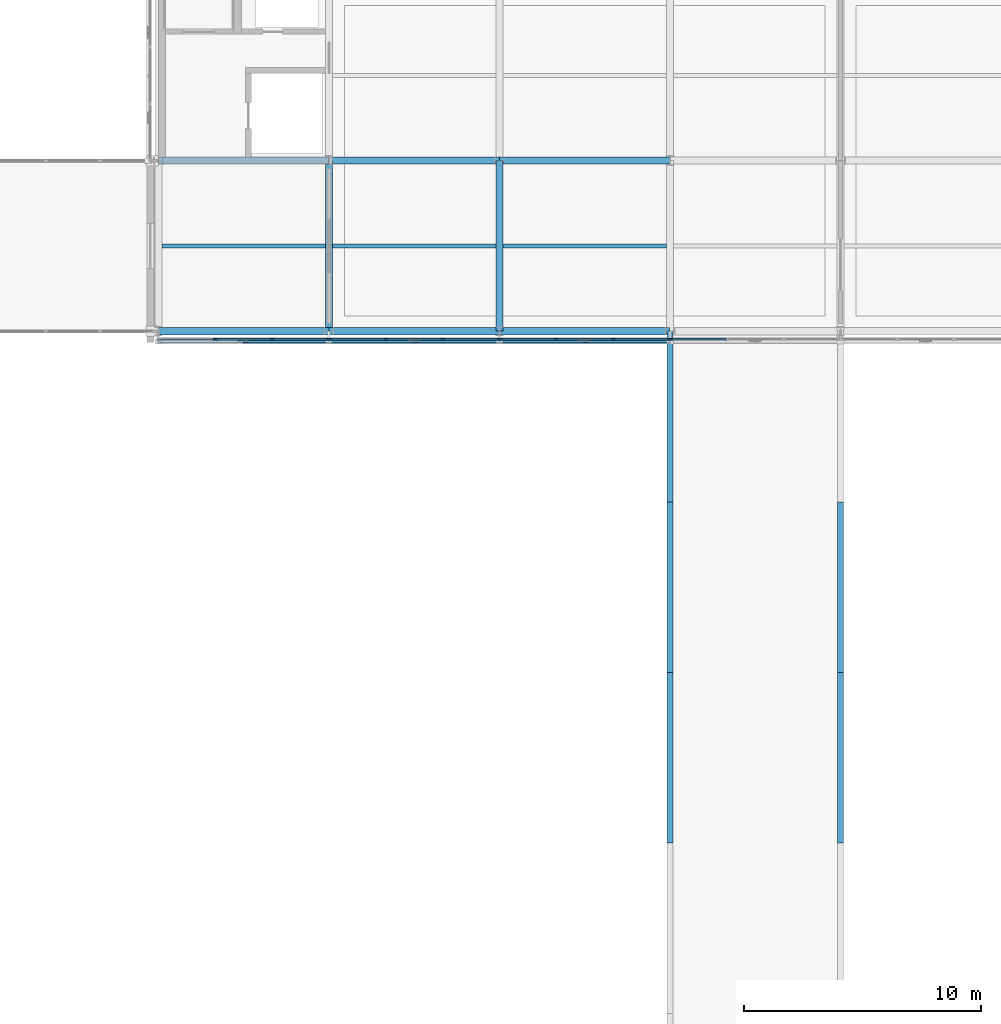
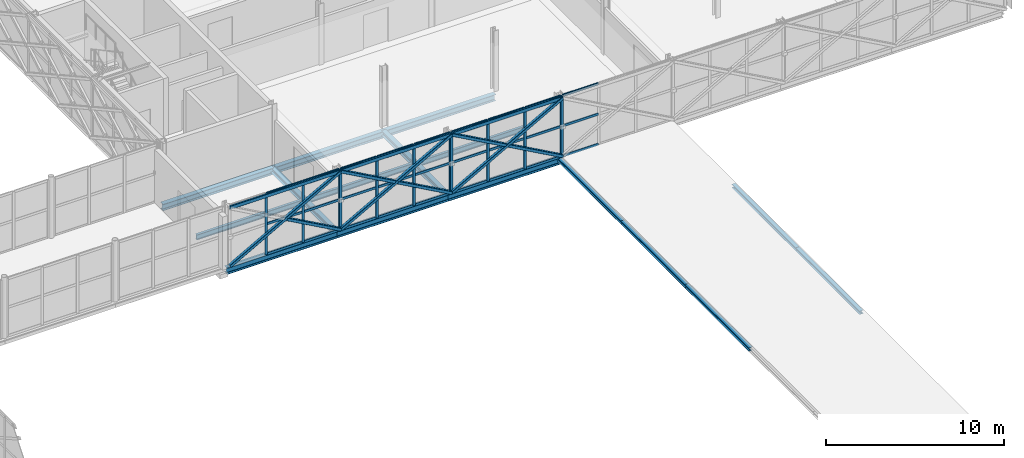
# One storey, part 50 of 126: 50 members, 16 beams, 4 elements without a shape of their own.
"""IFC4 building model written with IfcOpenShell, lengths in metres."""

from ifc_helpers import new_model, si_unit, direction, frame, origin, origin_2d, place, context, subcontext, project, spatial, rectangle, hollow_rectangle, i_section, extrude, material, material_profile, profile_set, type_object, element, aggregate, save


model = new_model("IFC4")

# Units and contexts
model_context = context("Model", 3, precision=1e-05, world=origin(), true_north=direction((0.0, 1.0)))
body_context = subcontext(model_context, "Body", "Model", "MODEL_VIEW")
ifc_project = project(units=[si_unit("LENGTHUNIT", "METRE"), si_unit("AREAUNIT", "SQUARE_METRE"), si_unit("VOLUMEUNIT", "CUBIC_METRE"), si_unit("PLANEANGLEUNIT", "RADIAN"), si_unit("MASSUNIT", "GRAM", prefix="KILO")], contexts=[model_context])

# Site, building, storey
site_placement = place(None, origin())
site = spatial("IfcSite", under=ifc_project, at=site_placement, CompositionType="ELEMENT")
building_placement = place(site_placement, origin())
building = spatial("IfcBuilding", under=site, at=building_placement, Name="Zlatovets Crest Museum", CompositionType="ELEMENT")
storey_placement = place(building_placement, frame((0.0, 0.0, 8.699951171875)))
storey = spatial("IfcBuildingStorey", under=building, at=storey_placement, Name="L02", CompositionType="ELEMENT", Elevation=8.699951171875)

# Beams
ifc_material_1 = material(Name="Structural steel S355J2", Category="steel")
ifc_material_profile_1 = material_profile(ifc_material_1, i_section(OverallWidth=0.300048828125, OverallDepth=0.35009765625, WebThickness=0.010009765625, FlangeThickness=0.017578125, FilletRadius=0.027099609375, at=origin_2d()), Name="HEA 360")
ifc_profile_set_1 = profile_set([ifc_material_profile_1], Name="Structural steel S355J2")
beam_type_1 = type_object("IfcBeamType", Name="Beam_B-03", PredefinedType="BEAM", material=ifc_profile_set_1)
for number, where, z_axis, x_axis, name in (
    (1, (64.800048828125, 86.39990234375, -0.39501953125), (0.0, 1.0, 0.0), (-1.0, 0.0, 0.0), "V1 L02 Grid Beam B-03"),
    (2, (72.0, 86.39990234375, -0.39501953125), (0.0, 1.0, 0.0), (-1.0, 0.0, 0.0), "V1 L02 Grid Beam B-03"),
):
    element("IfcBeam", number, at=place(storey_placement, frame(where, z_axis=z_axis, x_axis=x_axis)), inside=storey, type_object=beam_type_1, Name=name, PredefinedType="BEAM", context=body_context, shape_type="SweptSolid", body=[
        extrude(i_section(OverallWidth=0.300048828125, OverallDepth=0.35009765625, WebThickness=0.010009765625, FlangeThickness=0.017578125, FilletRadius=0.027099609375, at=origin_2d()), origin(), (0.0, 0.0, 1.0), 7.2001953125),
    ])
ifc_material_profile_2 = material_profile(ifc_material_1, i_section(OverallWidth=0.239990234375, OverallDepth=0.22998046875, WebThickness=0.007568359375, FlangeThickness=0.011962890625, FilletRadius=0.02099609375, at=origin_2d()), Name="HEA 240")
ifc_profile_set_2 = profile_set([ifc_material_profile_2], Name="Structural steel S355J2")
beam_type_2 = type_object("IfcBeamType", Name="Beam_B-06", PredefinedType="BEAM", material=ifc_profile_set_2)
for number, where, z_axis, x_axis, name in (
    (3, (79.199951171875, 64.800048828125, -0.3349609375), (0.0, 1.0, 0.0), (-1.0, 0.0, 0.0), "Central Sculpture Court Cloister and Skywalk Roof Edge Beam"),
    (4, (79.199951171875, 72.0, -0.3349609375), (0.0, 1.0, 0.0), (-1.0, 0.0, 0.0), "Central Sculpture Court Cloister and Skywalk Roof Edge Beam"),
    (5, (79.199951171875, 79.199951171875, -0.3349609375), (0.0, 1.0, 0.0), (-1.0, 0.0, 0.0), "Central Sculpture Court Cloister and Skywalk Roof Edge Beam"),
    (6, (86.39990234375, 64.800048828125, -0.3349609375), (0.0, 1.0, 0.0), (-1.0, 0.0, 0.0), "Central Sculpture Court Cloister and Skywalk Roof Edge Beam"),
    (7, (86.39990234375, 72.0, -0.3349609375), (0.0, 1.0, 0.0), (-1.0, 0.0, 0.0), "Central Sculpture Court Cloister and Skywalk Roof Edge Beam"),
):
    element("IfcBeam", number, at=place(storey_placement, frame(where, z_axis=z_axis, x_axis=x_axis)), inside=storey, type_object=beam_type_2, Name=name, PredefinedType="BEAM", context=body_context, shape_type="SweptSolid", body=[
        extrude(i_section(OverallWidth=0.239990234375, OverallDepth=0.22998046875, WebThickness=0.007568359375, FlangeThickness=0.011962890625, FilletRadius=0.02099609375, at=origin_2d()), origin(), (0.0, 0.0, 1.0), 7.199951171875),
    ])
ifc_material_profile_3 = material_profile(ifc_material_1, i_section(OverallWidth=0.300048828125, OverallDepth=0.43994140625, WebThickness=0.011474609375, FlangeThickness=0.02099609375, FilletRadius=0.027099609375, at=origin_2d()), Name="HEA 450")
ifc_profile_set_3 = profile_set([ifc_material_profile_3], Name="Structural steel S355J2")
beam_type_3 = type_object("IfcBeamType", Name="Beam_B-10", PredefinedType="BEAM", material=ifc_profile_set_3)
for number, where, z_axis, x_axis, name in (
    (8, (57.60009765625, 86.39990234375, -0.43994140625), (1.0, 0.0, 0.0), (0.0, 1.0, 0.0), "V1 L02 Primary Girder B-10"),
    (9, (64.800048828125, 86.39990234375, -0.43994140625), (1.0, 0.0, 0.0), (0.0, 1.0, 0.0), "V1 L02 Primary Girder B-10"),
    (10, (72.0, 86.39990234375, -0.43994140625), (1.0, 0.0, 0.0), (0.0, 1.0, 0.0), "V1 L02 Primary Girder B-10"),
    (11, (57.60009765625, 93.60009765625, -0.43994140625), (1.0, 0.0, 0.0), (0.0, 1.0, 0.0), "V1 L02 Primary Girder B-10"),
    (12, (64.800048828125, 93.60009765625, -0.43994140625), (1.0, 0.0, 0.0), (0.0, 1.0, 0.0), "V1 L02 Primary Girder B-10"),
    (13, (72.0, 93.60009765625, -0.43994140625), (1.0, 0.0, 0.0), (0.0, 1.0, 0.0), "V1 L02 Primary Girder B-10"),
):
    element("IfcBeam", number, at=place(storey_placement, frame(where, z_axis=z_axis, x_axis=x_axis)), inside=storey, type_object=beam_type_3, Name=name, PredefinedType="BEAM", context=body_context, shape_type="SweptSolid", body=[
        extrude(i_section(OverallWidth=0.300048828125, OverallDepth=0.43994140625, WebThickness=0.011474609375, FlangeThickness=0.02099609375, FilletRadius=0.027099609375, at=origin_2d()), origin(), (0.0, 0.0, 1.0), 7.199951171875),
    ])
ifc_material_profile_4 = material_profile(ifc_material_1, i_section(OverallWidth=0.169921875, OverallDepth=0.360107421875, WebThickness=0.008056640625, FlangeThickness=0.0126953125, FilletRadius=0.01806640625, at=origin_2d()), Name="IPE 360")
ifc_profile_set_4 = profile_set([ifc_material_profile_4], Name="Structural steel S355J2")
beam_type_4 = type_object("IfcBeamType", Name="Beam_J-01", PredefinedType="JOIST", material=ifc_profile_set_4)
beam_placement = place(storey_placement, frame((57.75, 90.0, -0.39990234375), z_axis=(1.0, 0.0, 0.0), x_axis=(0.0, 1.0, 0.0)))
element("IfcBeam", 14, at=beam_placement, inside=storey, type_object=beam_type_4, Name="V1 L02 Composite Joist J-01", PredefinedType="JOIST", context=body_context, shape_type="SweptSolid", body=[
    extrude(i_section(OverallWidth=0.169921875, OverallDepth=0.360107421875, WebThickness=0.008056640625, FlangeThickness=0.0126953125, FilletRadius=0.01806640625, at=origin_2d()), origin(), (0.0, 0.0, 1.0), 6.89990234375),
])
for number, where, z_axis, x_axis, name in (
    (15, (64.949951171875, 90.0, -0.39990234375), (1.0, 0.0, 0.0), (0.0, 1.0, 0.0), "V1 L02 Composite Joist J-01"),
    (16, (72.14990234375, 90.0, -0.39990234375), (1.0, 0.0, 0.0), (0.0, 1.0, 0.0), "V1 L02 Composite Joist J-01"),
):
    element("IfcBeam", number, at=place(storey_placement, frame(where, z_axis=z_axis, x_axis=x_axis)), inside=storey, type_object=beam_type_4, Name=name, PredefinedType="JOIST", context=body_context, shape_type="SweptSolid", body=[
        extrude(i_section(OverallWidth=0.169921875, OverallDepth=0.360107421875, WebThickness=0.008056640625, FlangeThickness=0.0126953125, FilletRadius=0.01806640625, at=origin_2d()), origin(), (0.0, 0.0, 1.0), 6.900146484375),
    ])

# Curtain wall, members
ifc_material_2 = material(Name="Bronze-anodised aluminium and low-E triple glass", Category="aluminium")
curtain_wall_type_1 = type_object("IfcCurtainWallType", Name="CW_CW-V1-L02-M0", PredefinedType="NOTDEFINED", material=ifc_material_2)
curtain_wall_1_placement = place(storey_placement, origin())
curtain_wall_1 = element("IfcCurtainWall", 17, at=curtain_wall_1_placement, inside=storey, type_object=curtain_wall_type_1, Name="V1 L02 Secession Foyer Clear Curtain Wall", PredefinedType="NOTDEFINED")
ifc_material_3 = material(Name="Bronze-anodised aluminium EN AW-6060", Category="aluminium")
ifc_material_profile_5 = material_profile(ifc_material_3, rectangle(XDim=0.080078125, YDim=0.159912109375, at=origin_2d()), Name="ALU 80x160")
ifc_profile_set_5 = profile_set([ifc_material_profile_5], Name="Bronze-anodised aluminium EN AW-6060")
member_type_1 = type_object("IfcMemberType", Name="CWMull_M1", PredefinedType="MULLION", material=ifc_profile_set_5)
member_1_placement = place(storey_placement, frame((60.0, 86.06005859375, 0.0), z_axis=(0.0, 0.0, 1.0), x_axis=(0.0, 1.0, 0.0)))
member_1 = element("IfcMember", 18, at=member_1_placement, type_object=member_type_1, Name="CW-V1-L02-M0 mullion 2", PredefinedType="MULLION", context=body_context, shape_type="SweptSolid", body=[
    extrude(rectangle(XDim=0.080078125, YDim=0.159912109375, at=origin_2d()), origin(), (0.0, 0.0, 1.0), 4.199951171875),
])
member_2_placement = place(storey_placement, frame((62.39990234375, 86.06005859375, 0.0), z_axis=(0.0, 0.0, 1.0), x_axis=(0.0, 1.0, 0.0)))
member_2 = element("IfcMember", 19, at=member_2_placement, type_object=member_type_1, Name="CW-V1-L02-M0 mullion 3", PredefinedType="MULLION", context=body_context, shape_type="SweptSolid", body=[
    extrude(rectangle(XDim=0.080078125, YDim=0.159912109375, at=origin_2d()), origin(), (0.0, 0.0, 1.0), 4.199951171875),
])
member_3_placement = place(storey_placement, frame((64.77001953125, 86.06005859375, 0.0), z_axis=(0.0, 0.0, 1.0), x_axis=(0.0, 1.0, 0.0)))
member_3 = element("IfcMember", 20, at=member_3_placement, type_object=member_type_1, Name="CW-V1-L02-M0 mullion 4", PredefinedType="MULLION", context=body_context, shape_type="SweptSolid", body=[
    extrude(rectangle(XDim=0.080078125, YDim=0.159912109375, at=origin_2d()), origin(), (0.0, 0.0, 1.0), 4.199951171875),
])

curtain_wall_type_2 = type_object("IfcCurtainWallType", Name="CW_CW-V1-L02-M1", PredefinedType="NOTDEFINED", material=ifc_material_2)
curtain_wall_2_placement = place(storey_placement, origin())
curtain_wall_2 = element("IfcCurtainWall", 21, at=curtain_wall_2_placement, inside=storey, type_object=curtain_wall_type_2, Name="V1 L02 Secession Foyer Clear Curtain Wall", PredefinedType="NOTDEFINED")
member_4_placement = place(storey_placement, frame((64.830078125, 86.06005859375, 0.0), z_axis=(0.0, 0.0, 1.0), x_axis=(0.0, 1.0, 0.0)))
member_4 = element("IfcMember", 22, at=member_4_placement, type_object=member_type_1, Name="CW-V1-L02-M1 mullion 1", PredefinedType="MULLION", context=body_context, shape_type="SweptSolid", body=[
    extrude(rectangle(XDim=0.080078125, YDim=0.159912109375, at=origin_2d()), origin(), (0.0, 0.0, 1.0), 4.199951171875),
])
member_5_placement = place(storey_placement, frame((67.199951171875, 86.06005859375, 0.0), z_axis=(0.0, 0.0, 1.0), x_axis=(0.0, 1.0, 0.0)))
member_5 = element("IfcMember", 23, at=member_5_placement, type_object=member_type_1, Name="CW-V1-L02-M1 mullion 2", PredefinedType="MULLION", context=body_context, shape_type="SweptSolid", body=[
    extrude(rectangle(XDim=0.080078125, YDim=0.159912109375, at=origin_2d()), origin(), (0.0, 0.0, 1.0), 4.199951171875),
])
member_6_placement = place(storey_placement, frame((69.60009765625, 86.06005859375, 0.0), z_axis=(0.0, 0.0, 1.0), x_axis=(0.0, 1.0, 0.0)))
member_6 = element("IfcMember", 24, at=member_6_placement, type_object=member_type_1, Name="CW-V1-L02-M1 mullion 3", PredefinedType="MULLION", context=body_context, shape_type="SweptSolid", body=[
    extrude(rectangle(XDim=0.080078125, YDim=0.159912109375, at=origin_2d()), origin(), (0.0, 0.0, 1.0), 4.199951171875),
])
member_7_placement = place(storey_placement, frame((71.969970703125, 86.06005859375, 0.0), z_axis=(0.0, 0.0, 1.0), x_axis=(0.0, 1.0, 0.0)))
member_7 = element("IfcMember", 25, at=member_7_placement, type_object=member_type_1, Name="CW-V1-L02-M1 mullion 4", PredefinedType="MULLION", context=body_context, shape_type="SweptSolid", body=[
    extrude(rectangle(XDim=0.080078125, YDim=0.159912109375, at=origin_2d()), origin(), (0.0, 0.0, 1.0), 4.199951171875),
])

curtain_wall_type_3 = type_object("IfcCurtainWallType", Name="CW_CW-V1-L02-M2", PredefinedType="NOTDEFINED", material=ifc_material_2)
curtain_wall_3_placement = place(storey_placement, origin())
curtain_wall_3 = element("IfcCurtainWall", 26, at=curtain_wall_3_placement, inside=storey, type_object=curtain_wall_type_3, Name="V1 L02 Secession Foyer Clear Curtain Wall", PredefinedType="NOTDEFINED")
member_8_placement = place(storey_placement, frame((72.030029296875, 86.06005859375, 0.0), z_axis=(0.0, 0.0, 1.0), x_axis=(0.0, 1.0, 0.0)))
member_8 = element("IfcMember", 27, at=member_8_placement, type_object=member_type_1, Name="CW-V1-L02-M2 mullion 1", PredefinedType="MULLION", context=body_context, shape_type="SweptSolid", body=[
    extrude(rectangle(XDim=0.080078125, YDim=0.159912109375, at=origin_2d()), origin(), (0.0, 0.0, 1.0), 4.199951171875),
])
member_9_placement = place(storey_placement, frame((74.39990234375, 86.06005859375, 0.0), z_axis=(0.0, 0.0, 1.0), x_axis=(0.0, 1.0, 0.0)))
member_9 = element("IfcMember", 28, at=member_9_placement, type_object=member_type_1, Name="CW-V1-L02-M2 mullion 2", PredefinedType="MULLION", context=body_context, shape_type="SweptSolid", body=[
    extrude(rectangle(XDim=0.080078125, YDim=0.159912109375, at=origin_2d()), origin(), (0.0, 0.0, 1.0), 4.199951171875),
])
member_10_placement = place(storey_placement, frame((76.800048828125, 86.06005859375, 0.0), z_axis=(0.0, 0.0, 1.0), x_axis=(0.0, 1.0, 0.0)))
member_10 = element("IfcMember", 29, at=member_10_placement, type_object=member_type_1, Name="CW-V1-L02-M2 mullion 3", PredefinedType="MULLION", context=body_context, shape_type="SweptSolid", body=[
    extrude(rectangle(XDim=0.080078125, YDim=0.159912109375, at=origin_2d()), origin(), (0.0, 0.0, 1.0), 4.199951171875),
])
member_11_placement = place(storey_placement, frame((79.169921875, 86.06005859375, 0.0), z_axis=(0.0, 0.0, 1.0), x_axis=(0.0, 1.0, 0.0)))
member_11 = element("IfcMember", 30, at=member_11_placement, type_object=member_type_1, Name="CW-V1-L02-M2 mullion 4", PredefinedType="MULLION", context=body_context, shape_type="SweptSolid", body=[
    extrude(rectangle(XDim=0.080078125, YDim=0.159912109375, at=origin_2d()), origin(), (0.0, 0.0, 1.0), 4.199951171875),
])

# Curtain wall, member
curtain_wall_type_4 = type_object("IfcCurtainWallType", Name="CW_CW-V1-L02-M3", PredefinedType="NOTDEFINED", material=ifc_material_2)
curtain_wall_4_placement = place(storey_placement, origin())
curtain_wall_4 = element("IfcCurtainWall", 31, at=curtain_wall_4_placement, inside=storey, type_object=curtain_wall_type_4, Name="V1 L02 Secession Foyer Clear Curtain Wall", PredefinedType="NOTDEFINED")
member_12_placement = place(storey_placement, frame((79.22998046875, 86.06005859375, 0.0), z_axis=(0.0, 0.0, 1.0), x_axis=(0.0, 1.0, 0.0)))
member_12 = element("IfcMember", 32, at=member_12_placement, type_object=member_type_1, Name="CW-V1-L02-M3 mullion 1", PredefinedType="MULLION", context=body_context, shape_type="SweptSolid", body=[
    extrude(rectangle(XDim=0.080078125, YDim=0.159912109375, at=origin_2d()), origin(), (0.0, 0.0, 1.0), 4.199951171875),
])

# Member
ifc_material_profile_6 = material_profile(ifc_material_3, rectangle(XDim=0.080078125, YDim=0.159912109375, at=origin_2d()), Name="ALU 80x160")
ifc_profile_set_6 = profile_set([ifc_material_profile_6], Name="Bronze-anodised aluminium EN AW-6060")
member_type_2 = type_object("IfcMemberType", Name="CWTrans_T1", PredefinedType="USERDEFINED", material=ifc_profile_set_6)
member_13_placement = place(storey_placement, frame((60.030029296875, 86.06005859375, 0.030029296875), z_axis=(1.0, 0.0, 0.0), x_axis=(0.0, 1.0, 0.0)))
member_13 = element("IfcMember", 33, at=member_13_placement, type_object=member_type_2, Name="CW-V1-L02-M0 transom 2.1", ObjectType="TRANSOM", PredefinedType="USERDEFINED", context=body_context, shape_type="SweptSolid", body=[
    extrude(rectangle(XDim=0.080078125, YDim=0.159912109375, at=origin_2d()), origin(), (0.0, 0.0, 1.0), 2.340087890625),
])

member_14_placement = place(storey_placement, frame((60.030029296875, 86.06005859375, 2.10009765625), z_axis=(1.0, 0.0, 0.0), x_axis=(0.0, 1.0, 0.0)))
member_14 = element("IfcMember", 34, at=member_14_placement, type_object=member_type_2, Name="CW-V1-L02-M0 transom 2.2", ObjectType="TRANSOM", PredefinedType="USERDEFINED", context=body_context, shape_type="SweptSolid", body=[
    extrude(rectangle(XDim=0.080078125, YDim=0.159912109375, at=origin_2d()), origin(), (0.0, 0.0, 1.0), 2.340087890625),
])

member_15_placement = place(storey_placement, frame((60.030029296875, 86.06005859375, 4.170166015625), z_axis=(1.0, 0.0, 0.0), x_axis=(0.0, 1.0, 0.0)))
member_15 = element("IfcMember", 35, at=member_15_placement, type_object=member_type_2, Name="CW-V1-L02-M0 transom 2.3", ObjectType="TRANSOM", PredefinedType="USERDEFINED", context=body_context, shape_type="SweptSolid", body=[
    extrude(rectangle(XDim=0.080078125, YDim=0.159912109375, at=origin_2d()), origin(), (0.0, 0.0, 1.0), 2.340087890625),
])

member_16_placement = place(storey_placement, frame((62.429931640625, 86.06005859375, 0.030029296875), z_axis=(1.0, 0.0, 0.0), x_axis=(0.0, 1.0, 0.0)))
member_16 = element("IfcMember", 36, at=member_16_placement, type_object=member_type_2, Name="CW-V1-L02-M0 transom 3.1", ObjectType="TRANSOM", PredefinedType="USERDEFINED", context=body_context, shape_type="SweptSolid", body=[
    extrude(rectangle(XDim=0.080078125, YDim=0.159912109375, at=origin_2d()), origin(), (0.0, 0.0, 1.0), 2.31005859375),
])

member_17_placement = place(storey_placement, frame((62.429931640625, 86.06005859375, 2.10009765625), z_axis=(1.0, 0.0, 0.0), x_axis=(0.0, 1.0, 0.0)))
member_17 = element("IfcMember", 37, at=member_17_placement, type_object=member_type_2, Name="CW-V1-L02-M0 transom 3.2", ObjectType="TRANSOM", PredefinedType="USERDEFINED", context=body_context, shape_type="SweptSolid", body=[
    extrude(rectangle(XDim=0.080078125, YDim=0.159912109375, at=origin_2d()), origin(), (0.0, 0.0, 1.0), 2.31005859375),
])

member_18_placement = place(storey_placement, frame((62.429931640625, 86.06005859375, 4.170166015625), z_axis=(1.0, 0.0, 0.0), x_axis=(0.0, 1.0, 0.0)))
member_18 = element("IfcMember", 38, at=member_18_placement, type_object=member_type_2, Name="CW-V1-L02-M0 transom 3.3", ObjectType="TRANSOM", PredefinedType="USERDEFINED", context=body_context, shape_type="SweptSolid", body=[
    extrude(rectangle(XDim=0.080078125, YDim=0.159912109375, at=origin_2d()), origin(), (0.0, 0.0, 1.0), 2.31005859375),
])

aggregate(curtain_wall_1, [member_1, member_2, member_3, member_13, member_14, member_15, member_16, member_17, member_18])

member_19_placement = place(storey_placement, frame((64.860107421875, 86.06005859375, 0.030029296875), z_axis=(1.0, 0.0, 0.0), x_axis=(0.0, 1.0, 0.0)))
member_19 = element("IfcMember", 39, at=member_19_placement, type_object=member_type_2, Name="CW-V1-L02-M1 transom 1.1", ObjectType="TRANSOM", PredefinedType="USERDEFINED", context=body_context, shape_type="SweptSolid", body=[
    extrude(rectangle(XDim=0.080078125, YDim=0.159912109375, at=origin_2d()), origin(), (0.0, 0.0, 1.0), 2.309814453125),
])

member_20_placement = place(storey_placement, frame((64.860107421875, 86.06005859375, 2.10009765625), z_axis=(1.0, 0.0, 0.0), x_axis=(0.0, 1.0, 0.0)))
member_20 = element("IfcMember", 40, at=member_20_placement, type_object=member_type_2, Name="CW-V1-L02-M1 transom 1.2", ObjectType="TRANSOM", PredefinedType="USERDEFINED", context=body_context, shape_type="SweptSolid", body=[
    extrude(rectangle(XDim=0.080078125, YDim=0.159912109375, at=origin_2d()), origin(), (0.0, 0.0, 1.0), 2.309814453125),
])

member_21_placement = place(storey_placement, frame((64.860107421875, 86.06005859375, 4.170166015625), z_axis=(1.0, 0.0, 0.0), x_axis=(0.0, 1.0, 0.0)))
member_21 = element("IfcMember", 41, at=member_21_placement, type_object=member_type_2, Name="CW-V1-L02-M1 transom 1.3", ObjectType="TRANSOM", PredefinedType="USERDEFINED", context=body_context, shape_type="SweptSolid", body=[
    extrude(rectangle(XDim=0.080078125, YDim=0.159912109375, at=origin_2d()), origin(), (0.0, 0.0, 1.0), 2.309814453125),
])

member_22_placement = place(storey_placement, frame((67.22998046875, 86.06005859375, 0.030029296875), z_axis=(1.0, 0.0, 0.0), x_axis=(0.0, 1.0, 0.0)))
member_22 = element("IfcMember", 42, at=member_22_placement, type_object=member_type_2, Name="CW-V1-L02-M1 transom 2.1", ObjectType="TRANSOM", PredefinedType="USERDEFINED", context=body_context, shape_type="SweptSolid", body=[
    extrude(rectangle(XDim=0.080078125, YDim=0.159912109375, at=origin_2d()), origin(), (0.0, 0.0, 1.0), 2.340087890625),
])

member_23_placement = place(storey_placement, frame((67.22998046875, 86.06005859375, 2.10009765625), z_axis=(1.0, 0.0, 0.0), x_axis=(0.0, 1.0, 0.0)))
member_23 = element("IfcMember", 43, at=member_23_placement, type_object=member_type_2, Name="CW-V1-L02-M1 transom 2.2", ObjectType="TRANSOM", PredefinedType="USERDEFINED", context=body_context, shape_type="SweptSolid", body=[
    extrude(rectangle(XDim=0.080078125, YDim=0.159912109375, at=origin_2d()), origin(), (0.0, 0.0, 1.0), 2.340087890625),
])

member_24_placement = place(storey_placement, frame((67.22998046875, 86.06005859375, 4.170166015625), z_axis=(1.0, 0.0, 0.0), x_axis=(0.0, 1.0, 0.0)))
member_24 = element("IfcMember", 44, at=member_24_placement, type_object=member_type_2, Name="CW-V1-L02-M1 transom 2.3", ObjectType="TRANSOM", PredefinedType="USERDEFINED", context=body_context, shape_type="SweptSolid", body=[
    extrude(rectangle(XDim=0.080078125, YDim=0.159912109375, at=origin_2d()), origin(), (0.0, 0.0, 1.0), 2.340087890625),
])

member_25_placement = place(storey_placement, frame((69.6298828125, 86.06005859375, 0.030029296875), z_axis=(1.0, 0.0, 0.0), x_axis=(0.0, 1.0, 0.0)))
member_25 = element("IfcMember", 45, at=member_25_placement, type_object=member_type_2, Name="CW-V1-L02-M1 transom 3.1", ObjectType="TRANSOM", PredefinedType="USERDEFINED", context=body_context, shape_type="SweptSolid", body=[
    extrude(rectangle(XDim=0.080078125, YDim=0.159912109375, at=origin_2d()), origin(), (0.0, 0.0, 1.0), 2.31005859375),
])

member_26_placement = place(storey_placement, frame((69.6298828125, 86.06005859375, 2.10009765625), z_axis=(1.0, 0.0, 0.0), x_axis=(0.0, 1.0, 0.0)))
member_26 = element("IfcMember", 46, at=member_26_placement, type_object=member_type_2, Name="CW-V1-L02-M1 transom 3.2", ObjectType="TRANSOM", PredefinedType="USERDEFINED", context=body_context, shape_type="SweptSolid", body=[
    extrude(rectangle(XDim=0.080078125, YDim=0.159912109375, at=origin_2d()), origin(), (0.0, 0.0, 1.0), 2.31005859375),
])

member_27_placement = place(storey_placement, frame((69.6298828125, 86.06005859375, 4.170166015625), z_axis=(1.0, 0.0, 0.0), x_axis=(0.0, 1.0, 0.0)))
member_27 = element("IfcMember", 47, at=member_27_placement, type_object=member_type_2, Name="CW-V1-L02-M1 transom 3.3", ObjectType="TRANSOM", PredefinedType="USERDEFINED", context=body_context, shape_type="SweptSolid", body=[
    extrude(rectangle(XDim=0.080078125, YDim=0.159912109375, at=origin_2d()), origin(), (0.0, 0.0, 1.0), 2.31005859375),
])

aggregate(curtain_wall_2, [member_4, member_5, member_6, member_7, member_19, member_20, member_21, member_22, member_23, member_24, member_25, member_26, member_27])

member_28_placement = place(storey_placement, frame((72.06005859375, 86.06005859375, 0.030029296875), z_axis=(1.0, 0.0, 0.0), x_axis=(0.0, 1.0, 0.0)))
member_28 = element("IfcMember", 48, at=member_28_placement, type_object=member_type_2, Name="CW-V1-L02-M2 transom 1.1", ObjectType="TRANSOM", PredefinedType="USERDEFINED", context=body_context, shape_type="SweptSolid", body=[
    extrude(rectangle(XDim=0.080078125, YDim=0.159912109375, at=origin_2d()), origin(), (0.0, 0.0, 1.0), 2.31005859375),
])

member_29_placement = place(storey_placement, frame((72.06005859375, 86.06005859375, 2.10009765625), z_axis=(1.0, 0.0, 0.0), x_axis=(0.0, 1.0, 0.0)))
member_29 = element("IfcMember", 49, at=member_29_placement, type_object=member_type_2, Name="CW-V1-L02-M2 transom 1.2", ObjectType="TRANSOM", PredefinedType="USERDEFINED", context=body_context, shape_type="SweptSolid", body=[
    extrude(rectangle(XDim=0.080078125, YDim=0.159912109375, at=origin_2d()), origin(), (0.0, 0.0, 1.0), 2.31005859375),
])

member_30_placement = place(storey_placement, frame((72.06005859375, 86.06005859375, 4.170166015625), z_axis=(1.0, 0.0, 0.0), x_axis=(0.0, 1.0, 0.0)))
member_30 = element("IfcMember", 50, at=member_30_placement, type_object=member_type_2, Name="CW-V1-L02-M2 transom 1.3", ObjectType="TRANSOM", PredefinedType="USERDEFINED", context=body_context, shape_type="SweptSolid", body=[
    extrude(rectangle(XDim=0.080078125, YDim=0.159912109375, at=origin_2d()), origin(), (0.0, 0.0, 1.0), 2.31005859375),
])

member_31_placement = place(storey_placement, frame((74.429931640625, 86.06005859375, 0.030029296875), z_axis=(1.0, 0.0, 0.0), x_axis=(0.0, 1.0, 0.0)))
member_31 = element("IfcMember", 51, at=member_31_placement, type_object=member_type_2, Name="CW-V1-L02-M2 transom 2.1", ObjectType="TRANSOM", PredefinedType="USERDEFINED", context=body_context, shape_type="SweptSolid", body=[
    extrude(rectangle(XDim=0.080078125, YDim=0.159912109375, at=origin_2d()), origin(), (0.0, 0.0, 1.0), 2.340087890625),
])

member_32_placement = place(storey_placement, frame((74.429931640625, 86.06005859375, 2.10009765625), z_axis=(1.0, 0.0, 0.0), x_axis=(0.0, 1.0, 0.0)))
member_32 = element("IfcMember", 52, at=member_32_placement, type_object=member_type_2, Name="CW-V1-L02-M2 transom 2.2", ObjectType="TRANSOM", PredefinedType="USERDEFINED", context=body_context, shape_type="SweptSolid", body=[
    extrude(rectangle(XDim=0.080078125, YDim=0.159912109375, at=origin_2d()), origin(), (0.0, 0.0, 1.0), 2.340087890625),
])

member_33_placement = place(storey_placement, frame((74.429931640625, 86.06005859375, 4.170166015625), z_axis=(1.0, 0.0, 0.0), x_axis=(0.0, 1.0, 0.0)))
member_33 = element("IfcMember", 53, at=member_33_placement, type_object=member_type_2, Name="CW-V1-L02-M2 transom 2.3", ObjectType="TRANSOM", PredefinedType="USERDEFINED", context=body_context, shape_type="SweptSolid", body=[
    extrude(rectangle(XDim=0.080078125, YDim=0.159912109375, at=origin_2d()), origin(), (0.0, 0.0, 1.0), 2.340087890625),
])

member_34_placement = place(storey_placement, frame((76.830078125, 86.06005859375, 0.030029296875), z_axis=(1.0, 0.0, 0.0), x_axis=(0.0, 1.0, 0.0)))
member_34 = element("IfcMember", 54, at=member_34_placement, type_object=member_type_2, Name="CW-V1-L02-M2 transom 3.1", ObjectType="TRANSOM", PredefinedType="USERDEFINED", context=body_context, shape_type="SweptSolid", body=[
    extrude(rectangle(XDim=0.080078125, YDim=0.159912109375, at=origin_2d()), origin(), (0.0, 0.0, 1.0), 2.309814453125),
])

member_35_placement = place(storey_placement, frame((76.830078125, 86.06005859375, 2.10009765625), z_axis=(1.0, 0.0, 0.0), x_axis=(0.0, 1.0, 0.0)))
member_35 = element("IfcMember", 55, at=member_35_placement, type_object=member_type_2, Name="CW-V1-L02-M2 transom 3.2", ObjectType="TRANSOM", PredefinedType="USERDEFINED", context=body_context, shape_type="SweptSolid", body=[
    extrude(rectangle(XDim=0.080078125, YDim=0.159912109375, at=origin_2d()), origin(), (0.0, 0.0, 1.0), 2.309814453125),
])

member_36_placement = place(storey_placement, frame((76.830078125, 86.06005859375, 4.170166015625), z_axis=(1.0, 0.0, 0.0), x_axis=(0.0, 1.0, 0.0)))
member_36 = element("IfcMember", 56, at=member_36_placement, type_object=member_type_2, Name="CW-V1-L02-M2 transom 3.3", ObjectType="TRANSOM", PredefinedType="USERDEFINED", context=body_context, shape_type="SweptSolid", body=[
    extrude(rectangle(XDim=0.080078125, YDim=0.159912109375, at=origin_2d()), origin(), (0.0, 0.0, 1.0), 2.309814453125),
])

aggregate(curtain_wall_3, [member_8, member_9, member_10, member_11, member_28, member_29, member_30, member_31, member_32, member_33, member_34, member_35, member_36])

member_37_placement = place(storey_placement, frame((79.260009765625, 86.06005859375, 0.030029296875), z_axis=(1.0, 0.0, 0.0), x_axis=(0.0, 1.0, 0.0)))
member_37 = element("IfcMember", 57, at=member_37_placement, type_object=member_type_2, Name="CW-V1-L02-M3 transom 1.1", ObjectType="TRANSOM", PredefinedType="USERDEFINED", context=body_context, shape_type="SweptSolid", body=[
    extrude(rectangle(XDim=0.080078125, YDim=0.159912109375, at=origin_2d()), origin(), (0.0, 0.0, 1.0), 2.31005859375),
])

member_38_placement = place(storey_placement, frame((79.260009765625, 86.06005859375, 2.10009765625), z_axis=(1.0, 0.0, 0.0), x_axis=(0.0, 1.0, 0.0)))
member_38 = element("IfcMember", 58, at=member_38_placement, type_object=member_type_2, Name="CW-V1-L02-M3 transom 1.2", ObjectType="TRANSOM", PredefinedType="USERDEFINED", context=body_context, shape_type="SweptSolid", body=[
    extrude(rectangle(XDim=0.080078125, YDim=0.159912109375, at=origin_2d()), origin(), (0.0, 0.0, 1.0), 2.31005859375),
])

member_39_placement = place(storey_placement, frame((79.260009765625, 86.06005859375, 4.170166015625), z_axis=(1.0, 0.0, 0.0), x_axis=(0.0, 1.0, 0.0)))
member_39 = element("IfcMember", 59, at=member_39_placement, type_object=member_type_2, Name="CW-V1-L02-M3 transom 1.3", ObjectType="TRANSOM", PredefinedType="USERDEFINED", context=body_context, shape_type="SweptSolid", body=[
    extrude(rectangle(XDim=0.080078125, YDim=0.159912109375, at=origin_2d()), origin(), (0.0, 0.0, 1.0), 2.31005859375),
])

aggregate(curtain_wall_4, [member_12, member_37, member_38, member_39])

# Members
ifc_material_4 = material(Name="Weathering bronze-steel S355J2W", Category="steel")
ifc_material_profile_7 = material_profile(ifc_material_4, hollow_rectangle(XDim=0.199951171875, YDim=0.199951171875, WallThickness=0.012451171875, InnerFilletRadius=0.012451171875, OuterFilletRadius=0.02490234375, at=origin_2d()), Name="SHS 200x200x12.5")
ifc_profile_set_7 = profile_set([ifc_material_profile_7], Name="Weathering bronze-steel S355J2W")
member_type_3 = type_object("IfcMemberType", Name="Lattice_XL-02", PredefinedType="BRACE", material=ifc_profile_set_7)
member_40_placement = place(storey_placement, frame((57.60009765625, 85.97998046875, 0.10009765625), z_axis=(0.874155877937, 0.0, 0.485645447903), x_axis=(0.0, 1.0, 0.0)))
element("IfcMember", 60, at=member_40_placement, inside=storey, type_object=member_type_3, Name="Continuous Bronze Lattice Diagonal", PredefinedType="BRACE", context=body_context, shape_type="SweptSolid", body=[
    extrude(hollow_rectangle(XDim=0.199951171875, YDim=0.199951171875, WallThickness=0.012451171875, InnerFilletRadius=0.012451171875, OuterFilletRadius=0.02490234375, at=origin_2d()), origin(), (0.0, 0.0, 1.0), 8.236572265625),
])
member_41_placement = place(storey_placement, frame((61.282958984375, 85.97998046875, 2.053955078125), z_axis=(0.874165862873, 0.0, -0.485627474703), x_axis=(0.0, 1.0, 0.0)))
element("IfcMember", 61, at=member_41_placement, inside=storey, type_object=member_type_3, Name="Split Crossing Bronze Lattice Diagonal Lower", PredefinedType="BRACE", context=body_context, shape_type="SweptSolid", body=[
    extrude(hollow_rectangle(XDim=0.199951171875, YDim=0.199951171875, WallThickness=0.012451171875, InnerFilletRadius=0.012451171875, OuterFilletRadius=0.02490234375, at=origin_2d()), origin(), (0.0, 0.0, 1.0), 4.0234375),
])
member_42_placement = place(storey_placement, frame((64.800048828125, 85.97998046875, 0.10009765625), z_axis=(0.874155877937, 0.0, 0.485645447903), x_axis=(0.0, 1.0, 0.0)))
element("IfcMember", 62, at=member_42_placement, inside=storey, type_object=member_type_3, Name="Continuous Bronze Lattice Diagonal", PredefinedType="BRACE", context=body_context, shape_type="SweptSolid", body=[
    extrude(hollow_rectangle(XDim=0.199951171875, YDim=0.199951171875, WallThickness=0.012451171875, InnerFilletRadius=0.012451171875, OuterFilletRadius=0.02490234375, at=origin_2d()), origin(), (0.0, 0.0, 1.0), 8.236572265625),
])
member_43_placement = place(storey_placement, frame((64.800048828125, 85.97998046875, 4.10009765625), z_axis=(0.874151551165, 0.0, -0.485653235958), x_axis=(0.0, 1.0, 0.0)))
element("IfcMember", 63, at=member_43_placement, inside=storey, type_object=member_type_3, Name="Split Crossing Bronze Lattice Diagonal Upper", PredefinedType="BRACE", context=body_context, shape_type="SweptSolid", body=[
    extrude(hollow_rectangle(XDim=0.199951171875, YDim=0.199951171875, WallThickness=0.012451171875, InnerFilletRadius=0.012451171875, OuterFilletRadius=0.02490234375, at=origin_2d()), origin(), (0.0, 0.0, 1.0), 4.023193359375),
])
member_44_placement = place(storey_placement, frame((68.48291015625, 85.97998046875, 2.053955078125), z_axis=(0.874165862873, 0.0, -0.485627474703), x_axis=(0.0, 1.0, 0.0)))
element("IfcMember", 64, at=member_44_placement, inside=storey, type_object=member_type_3, Name="Split Crossing Bronze Lattice Diagonal Lower", PredefinedType="BRACE", context=body_context, shape_type="SweptSolid", body=[
    extrude(hollow_rectangle(XDim=0.199951171875, YDim=0.199951171875, WallThickness=0.012451171875, InnerFilletRadius=0.012451171875, OuterFilletRadius=0.02490234375, at=origin_2d()), origin(), (0.0, 0.0, 1.0), 4.0234375),
])
member_45_placement = place(storey_placement, frame((72.0, 85.97998046875, 0.10009765625), z_axis=(0.874155877937, 0.0, 0.485645447903), x_axis=(0.0, 1.0, 0.0)))
element("IfcMember", 65, at=member_45_placement, inside=storey, type_object=member_type_3, Name="Continuous Bronze Lattice Diagonal", PredefinedType="BRACE", context=body_context, shape_type="SweptSolid", body=[
    extrude(hollow_rectangle(XDim=0.199951171875, YDim=0.199951171875, WallThickness=0.012451171875, InnerFilletRadius=0.012451171875, OuterFilletRadius=0.02490234375, at=origin_2d()), origin(), (0.0, 0.0, 1.0), 8.236572265625),
])
member_46_placement = place(storey_placement, frame((72.0, 85.97998046875, 4.10009765625), z_axis=(0.874165862873, 0.0, -0.485627474703), x_axis=(0.0, 1.0, 0.0)))
element("IfcMember", 66, at=member_46_placement, inside=storey, type_object=member_type_3, Name="Split Crossing Bronze Lattice Diagonal Upper", PredefinedType="BRACE", context=body_context, shape_type="SweptSolid", body=[
    extrude(hollow_rectangle(XDim=0.199951171875, YDim=0.199951171875, WallThickness=0.012451171875, InnerFilletRadius=0.012451171875, OuterFilletRadius=0.02490234375, at=origin_2d()), origin(), (0.0, 0.0, 1.0), 4.0234375),
])
member_47_placement = place(storey_placement, frame((75.68310546875, 85.97998046875, 2.053955078125), z_axis=(0.874151551165, 0.0, -0.485653235958), x_axis=(0.0, 1.0, 0.0)))
element("IfcMember", 67, at=member_47_placement, inside=storey, type_object=member_type_3, Name="Split Crossing Bronze Lattice Diagonal Lower", PredefinedType="BRACE", context=body_context, shape_type="SweptSolid", body=[
    extrude(hollow_rectangle(XDim=0.199951171875, YDim=0.199951171875, WallThickness=0.012451171875, InnerFilletRadius=0.012451171875, OuterFilletRadius=0.02490234375, at=origin_2d()), origin(), (0.0, 0.0, 1.0), 4.023193359375),
])
ifc_material_profile_8 = material_profile(ifc_material_4, hollow_rectangle(XDim=0.1201171875, YDim=0.239990234375, WallThickness=0.010009765625, InnerFilletRadius=0.010009765625, OuterFilletRadius=0.02001953125, at=origin_2d()), Name="RHS 120x240x10.0")
ifc_profile_set_8 = profile_set([ifc_material_profile_8], Name="Weathering bronze-steel S355J2W")
member_type_4 = type_object("IfcMemberType", Name="Lattice_XL-04", PredefinedType="CHORD", material=ifc_profile_set_8)
for number, where, z_axis, x_axis, name in (
    (68, (57.60009765625, 85.97998046875, 4.10009765625), (1.0, 0.0, 0.0), (0.0, 1.0, 0.0), "Art Nouveau Woven Cage Collector Ring Chord"),
    (69, (64.800048828125, 85.97998046875, 4.10009765625), (1.0, 0.0, 0.0), (0.0, 1.0, 0.0), "Art Nouveau Woven Cage Collector Ring Chord"),
    (70, (72.0, 85.97998046875, 4.10009765625), (1.0, 0.0, 0.0), (0.0, 1.0, 0.0), "Art Nouveau Woven Cage Collector Ring Chord"),
):
    element("IfcMember", number, at=place(storey_placement, frame(where, z_axis=z_axis, x_axis=x_axis)), inside=storey, type_object=member_type_4, Name=name, PredefinedType="CHORD", context=body_context, shape_type="SweptSolid", body=[
        extrude(hollow_rectangle(XDim=0.1201171875, YDim=0.239990234375, WallThickness=0.010009765625, InnerFilletRadius=0.010009765625, OuterFilletRadius=0.02001953125, at=origin_2d()), origin(), (0.0, 0.0, 1.0), 7.199951171875),
    ])

save(model, "model.ifc")
